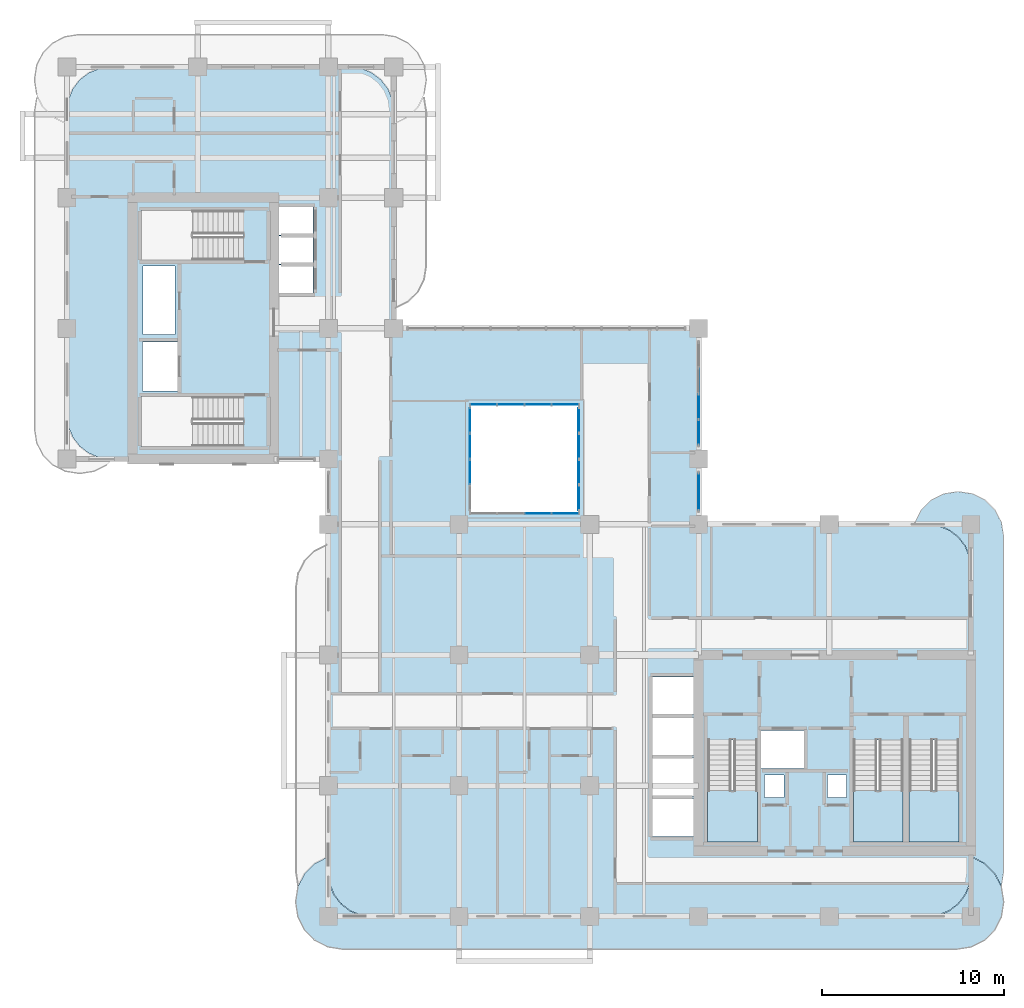
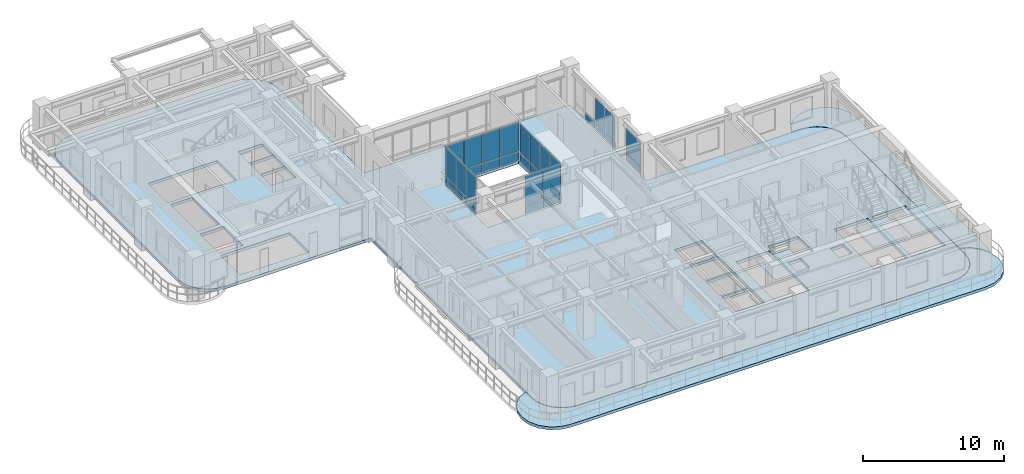
# One storey, part 9 of 20: 33 plates, 6 slabs, 9 elements without a shape of their own.
"""IFC4 building model written with IfcOpenShell, lengths in metres."""

from ifc_helpers import new_model, si_unit, derived_unit, direction, frame, origin, origin_2d, place, context, subcontext, project, spatial, polyline, rectangle, outline, extrude, source, transform, mapped, material, layer, layer_set, type_object, element, aggregate, save


model = new_model("IFC4")

# Units and contexts
model_context = context("Model", 3, precision=1e-05, world=origin(), true_north=direction((0.0, 1.0)))
body_context = subcontext(model_context, "Body", "Model", "MODEL_VIEW")
ifc_project = project(units=[si_unit("LENGTHUNIT", "METRE"), si_unit("AREAUNIT", "SQUARE_METRE"), si_unit("VOLUMEUNIT", "CUBIC_METRE"), si_unit("PLANEANGLEUNIT", "RADIAN"), si_unit("MASSUNIT", "GRAM", prefix="KILO"), si_unit("THERMODYNAMICTEMPERATUREUNIT", "KELVIN"), si_unit("POWERUNIT", "WATT"), derived_unit("THERMALTRANSMITTANCEUNIT", [(si_unit("POWERUNIT", "WATT"), 1), (si_unit("AREAUNIT", "SQUARE_METRE"), -1), (si_unit("THERMODYNAMICTEMPERATUREUNIT", "KELVIN"), -1)])], contexts=[model_context])

# Site, building, storey
site_placement = place(None, origin())
site = spatial("IfcSite", under=ifc_project, at=site_placement, CompositionType="ELEMENT")
building_placement = place(site_placement, origin())
building = spatial("IfcBuilding", under=site, at=building_placement, Name="Zahravan Archway Hotel and Residences", CompositionType="ELEMENT")
storey_placement = place(building_placement, frame((0.0, 0.0, 126.60009765625)))
storey = spatial("IfcBuildingStorey", under=building, at=storey_placement, Name="L31", CompositionType="ELEMENT", Elevation=126.60009765625)

# Slabs
ifc_material_1 = material(Name="Concrete C45/55", Category="concrete")
ifc_layer_1 = layer(ifc_material_1, 0.25, Name="Concrete C45/55", Category="concrete")
ifc_layer_set_1 = layer_set([ifc_layer_1], Name="Concrete C45/55")
slab_type_1 = type_object("IfcSlabType", Name="SLB-BALC-250", PredefinedType="FLOOR", material=ifc_layer_set_1)
slab_1_placement = place(storey_placement, frame((0.0, 0.0, -0.25)))
element("IfcSlab", 1, at=slab_1_placement, inside=storey, type_object=slab_type_1, Name="L31 Wing A South Rounded Balcony Band", PredefinedType="FLOOR", context=body_context, shape_type="SweptSolid", body=[
    extrude(outline(polyline([(49.837890625, 3.275146484375), (50.548828125, 2.9130859375), (51.113037109375, 2.348876953125), (51.47509765625, 1.637939453125), (51.60009765625, 0.85009765625), (51.60009765625, 0.75), (51.47509765625, -0.0380859375), (51.113037109375, -0.748779296875), (50.548828125, -1.31298828125), (49.837890625, -1.67529296875), (49.050048828125, -1.800048828125), (15.14990234375, -1.800048828125), (14.362060546875, -1.67529296875), (13.651123046875, -1.31298828125), (13.0869140625, -0.748779296875), (12.724853515625, -0.0380859375), (12.60009765625, 0.75), (12.60009765625, 0.85009765625), (12.724853515625, 1.637939453125), (13.0869140625, 2.348876953125), (13.651123046875, 2.9130859375), (14.362060546875, 3.275146484375), (14.3798828125, 3.278076171875), (14.3798828125, 2.39990234375), (14.380126953125, 2.3974609375), (14.4619140625, 1.776123046875), (14.46240234375, 1.7744140625), (14.462646484375, 1.772705078125), (14.46337890625, 1.77099609375), (14.702880859375, 1.1923828125), (14.703857421875, 1.19091796875), (14.70458984375, 1.189208984375), (14.70556640625, 1.187744140625), (15.0869140625, 0.690673828125), (15.088134765625, 0.689453125), (15.08935546875, 0.688232421875), (15.0908203125, 0.68701171875), (15.587890625, 0.3056640625), (15.58935546875, 0.3046875), (15.5908203125, 0.3037109375), (15.59228515625, 0.302978515625), (16.171142578125, 0.063232421875), (16.1728515625, 0.062744140625), (16.174560546875, 0.062255859375), (16.17626953125, 0.06201171875), (16.79736328125, -0.019775390625), (16.800048828125, -0.02001953125), (47.39990234375, -0.02001953125), (47.402587890625, -0.019775390625), (48.023681640625, 0.06201171875), (48.025390625, 0.062255859375), (48.027099609375, 0.062744140625), (48.02880859375, 0.063232421875), (48.607666015625, 0.302978515625), (48.609130859375, 0.3037109375), (48.610595703125, 0.3046875), (48.6123046875, 0.3056640625), (49.109375, 0.68701171875), (49.110595703125, 0.688232421875), (49.11181640625, 0.689453125), (49.113037109375, 0.690673828125), (49.494384765625, 1.187744140625), (49.495361328125, 1.189208984375), (49.49609375, 1.19091796875), (49.4970703125, 1.1923828125), (49.73681640625, 1.77099609375), (49.7373046875, 1.772705078125), (49.73779296875, 1.7744140625), (49.738037109375, 1.776123046875), (49.81982421875, 2.3974609375), (49.820068359375, 2.39990234375), (49.820068359375, 3.278076171875), (49.837890625, 3.275146484375)])), origin(), (0.0, 0.0, 1.0), 0.25),
])
slab_2_placement = place(storey_placement, frame((0.0, 0.0, -0.25)))
element("IfcSlab", 2, at=slab_2_placement, inside=storey, type_object=slab_type_1, Name="L31 Wing A East Rounded Balcony Band", PredefinedType="FLOOR", context=body_context, shape_type="SweptSolid", body=[
    extrude(outline(polyline([(46.719970703125, 21.70703125), (47.06787109375, 22.39013671875), (47.60986328125, 22.93212890625), (48.29296875, 23.280029296875), (49.050048828125, 23.39990234375), (49.14990234375, 23.39990234375), (49.906982421875, 23.280029296875), (50.590087890625, 22.93212890625), (51.132080078125, 22.39013671875), (51.47998046875, 21.70703125), (51.60009765625, 20.949951171875), (51.60009765625, 2.449951171875), (51.47998046875, 1.69287109375), (51.474853515625, 1.6826171875), (51.130859375, 2.35791015625), (51.1298828125, 2.35986328125), (51.12841796875, 2.361572265625), (51.127197265625, 2.363037109375), (50.56298828125, 2.927001953125), (50.5615234375, 2.928466796875), (50.559814453125, 2.9296875), (50.55810546875, 2.930908203125), (49.84716796875, 3.29296875), (49.84521484375, 3.2939453125), (49.84326171875, 3.29443359375), (49.841064453125, 3.294921875), (49.822998046875, 3.2978515625), (49.8212890625, 3.298095703125), (49.820068359375, 3.298095703125), (49.820068359375, 19.199951171875), (49.81982421875, 19.20263671875), (49.738037109375, 19.82373046875), (49.73779296875, 19.825439453125), (49.7373046875, 19.8271484375), (49.73681640625, 19.828857421875), (49.4970703125, 20.40771484375), (49.49609375, 20.4091796875), (49.495361328125, 20.41064453125), (49.494384765625, 20.412109375), (49.113037109375, 20.9091796875), (49.11181640625, 20.91064453125), (49.110595703125, 20.911865234375), (49.109375, 20.9130859375), (48.6123046875, 21.29443359375), (48.610595703125, 21.29541015625), (48.609130859375, 21.296142578125), (48.607666015625, 21.297119140625), (48.02880859375, 21.53662109375), (48.027099609375, 21.537353515625), (48.025390625, 21.53759765625), (48.023681640625, 21.5380859375), (47.402587890625, 21.619873046875), (47.39990234375, 21.6201171875), (46.7060546875, 21.6201171875), (46.719970703125, 21.70703125)])), origin(), (0.0, 0.0, 1.0), 0.25),
])
ifc_layer_2 = layer(ifc_material_1, 0.25, Name="Concrete C45/55", Category="concrete")
ifc_layer_set_2 = layer_set([ifc_layer_2], Name="Concrete C45/55")
slab_type_2 = type_object("IfcSlabType", Name="SLB-FLR-250", PredefinedType="FLOOR", material=ifc_layer_set_2)
slab_3_placement = place(storey_placement, frame((0.0, 0.0, -0.25)))
element("IfcSlab", 3, at=slab_3_placement, inside=storey, type_object=slab_type_2, Name="L31 Floor Slab LB", PredefinedType="FLOOR", context=body_context, shape_type="SweptSolid", body=[
    extrude(outline(polyline([(34.800048828125, 21.60009765625), (34.800048828125, 32.39990234375), (18.0, 32.39990234375), (18.0, 44.39990234375), (17.918212890625, 45.021240234375), (17.678466796875, 45.60009765625), (17.297119140625, 46.09716796875), (16.800048828125, 46.478515625), (16.22119140625, 46.71826171875), (15.60009765625, 46.800048828125), (2.39990234375, 46.800048828125), (1.77880859375, 46.71826171875), (1.199951171875, 46.478515625), (0.702880859375, 46.09716796875), (0.321533203125, 45.60009765625), (0.081787109375, 45.021240234375), (0.0, 44.39990234375), (0.0, 27.60009765625), (0.081787109375, 26.978759765625), (0.321533203125, 26.39990234375), (0.702880859375, 25.90283203125), (1.199951171875, 25.521484375), (1.77880859375, 25.28173828125), (2.39990234375, 25.199951171875), (14.39990234375, 25.199951171875), (14.39990234375, 19.199951171875), (14.39990234375, 19.10009765625), (14.39990234375, 2.39990234375), (14.481689453125, 1.77880859375), (14.721435546875, 1.199951171875), (15.102783203125, 0.702880859375), (15.60009765625, 0.321533203125), (16.1787109375, 0.081787109375), (16.800048828125, 0.0), (47.39990234375, 0.0), (48.021240234375, 0.081787109375), (48.60009765625, 0.321533203125), (49.09716796875, 0.702880859375), (49.478515625, 1.199951171875), (49.71826171875, 1.77880859375), (49.800048828125, 2.39990234375), (49.800048828125, 19.199951171875), (49.71826171875, 19.8212890625), (49.478515625, 20.39990234375), (49.09716796875, 20.897216796875), (48.60009765625, 21.278564453125), (48.021240234375, 21.518310546875), (47.39990234375, 21.60009765625), (34.800048828125, 21.60009765625)]), holes=[polyline([(35.300048828125, 9.72998046875), (35.300048828125, 4.10009765625), (38.0400390625, 4.10009765625), (38.0400390625, 9.72998046875), (35.300048828125, 9.72998046875)]), polyline([(43.320068359375, 9.72998046875), (43.320068359375, 4.10009765625), (46.06005859375, 4.10009765625), (46.06005859375, 9.72998046875), (43.320068359375, 9.72998046875)]), polyline([(46.39990234375, 9.72998046875), (46.39990234375, 4.10009765625), (49.139892578125, 4.10009765625), (49.139892578125, 9.72998046875), (46.39990234375, 9.72998046875)]), polyline([(9.72998046875, 28.639892578125), (4.10009765625, 28.639892578125), (4.10009765625, 25.89990234375), (9.72998046875, 25.89990234375), (9.72998046875, 28.639892578125)]), polyline([(9.72998046875, 38.89990234375), (4.10009765625, 38.89990234375), (4.10009765625, 36.159912109375), (9.72998046875, 36.159912109375), (9.72998046875, 38.89990234375)]), polyline([(38.179931640625, 8.14990234375), (40.699951171875, 8.14990234375), (40.699951171875, 10.25), (38.179931640625, 10.25), (38.179931640625, 8.14990234375)]), polyline([(4.14990234375, 28.949951171875), (6.10009765625, 28.949951171875), (6.10009765625, 31.64990234375), (4.14990234375, 31.64990234375), (4.14990234375, 28.949951171875)]), polyline([(11.550048828125, 34.35009765625), (13.550048828125, 34.35009765625), (13.550048828125, 35.889892578125), (11.550048828125, 35.889892578125), (11.550048828125, 34.35009765625)]), polyline([(11.550048828125, 35.949951171875), (13.550048828125, 35.949951171875), (13.550048828125, 37.489990234375), (11.550048828125, 37.489990234375), (11.550048828125, 35.949951171875)]), polyline([(11.550048828125, 37.550048828125), (13.550048828125, 37.550048828125), (13.550048828125, 39.090087890625), (11.550048828125, 39.090087890625), (11.550048828125, 37.550048828125)]), polyline([(32.25, 4.39990234375), (34.550048828125, 4.39990234375), (34.550048828125, 6.47998046875), (32.25, 6.47998046875), (32.25, 4.39990234375)]), polyline([(32.25, 6.639892578125), (34.550048828125, 6.639892578125), (34.550048828125, 8.719970703125), (32.25, 8.719970703125), (32.25, 6.639892578125)]), polyline([(32.25, 8.8798828125), (34.550048828125, 8.8798828125), (34.550048828125, 10.9599609375), (32.25, 10.9599609375), (32.25, 8.8798828125)]), polyline([(32.25, 11.1201171875), (34.550048828125, 11.1201171875), (34.550048828125, 13.199951171875), (32.25, 13.199951171875), (32.25, 11.1201171875)]), polyline([(22.199951171875, 22.199951171875), (28.199951171875, 22.199951171875), (28.199951171875, 28.199951171875), (22.199951171875, 28.199951171875), (22.199951171875, 22.199951171875)]), polyline([(38.419921875, 6.56005859375), (39.5, 6.56005859375), (39.5, 7.780029296875), (38.419921875, 7.780029296875), (38.419921875, 6.56005859375)]), polyline([(41.89990234375, 6.56005859375), (42.9599609375, 6.56005859375), (42.9599609375, 7.780029296875), (41.89990234375, 7.780029296875), (41.89990234375, 6.56005859375)]), polyline([(4.179931640625, 32.050048828125), (5.93994140625, 32.050048828125), (5.93994140625, 35.840087890625), (4.179931640625, 35.840087890625), (4.179931640625, 32.050048828125)])]), origin(), (0.0, 0.0, 1.0), 0.25),
])

# Stair, slab
ifc_material_2 = material(Name="Concrete C50/60", Category="concrete")
stair_type = type_object("IfcStairType", Name="STR-CORE-1300", PredefinedType="HALF_TURN_STAIR", material=ifc_material_2)
stair_1_placement = place(storey_placement, origin())
stair_1 = element("IfcStair", 4, at=stair_1_placement, inside=storey, type_object=stair_type, Name="L31 Core A Exit Stair 1", PredefinedType="HALF_TURN_STAIR")
ifc_layer_3 = layer(ifc_material_2, 0.199951171875, Name="Concrete C50/60", Category="concrete")
ifc_layer_set_3 = layer_set([ifc_layer_3], Name="Concrete C50/60")
slab_type_3 = type_object("IfcSlabType", Name="SLB-LND-200", PredefinedType="LANDING", material=ifc_layer_set_3)
slab_4_placement = place(storey_placement, frame((0.0, 0.0, 1.64990234375)))
slab_4 = element("IfcSlab", 5, at=slab_4_placement, type_object=slab_type_3, Name="ST-A1 landing 1", PredefinedType="LANDING", context=body_context, shape_type="SweptSolid", body=[
    extrude(outline(polyline([(35.300048828125, 6.929931640625), (35.300048828125, 4.10009765625), (38.0400390625, 4.10009765625), (38.0400390625, 6.929931640625), (35.300048828125, 6.929931640625)])), origin(), (0.0, 0.0, 1.0), 0.199951171875),
])
aggregate(stair_1, [slab_4])

stair_2_placement = place(storey_placement, origin())
stair_2 = element("IfcStair", 6, at=stair_2_placement, inside=storey, type_object=stair_type, Name="L31 Core A Exit Stair 2", PredefinedType="HALF_TURN_STAIR")
slab_5_placement = place(storey_placement, frame((0.0, 0.0, 1.64990234375)))
slab_5 = element("IfcSlab", 7, at=slab_5_placement, type_object=slab_type_3, Name="ST-A2 landing 1", PredefinedType="LANDING", context=body_context, shape_type="SweptSolid", body=[
    extrude(outline(polyline([(43.320068359375, 6.929931640625), (43.320068359375, 4.10009765625), (46.06005859375, 4.10009765625), (46.06005859375, 6.929931640625), (43.320068359375, 6.929931640625)])), origin(), (0.0, 0.0, 1.0), 0.199951171875),
])
aggregate(stair_2, [slab_5])

stair_3_placement = place(storey_placement, origin())
stair_3 = element("IfcStair", 8, at=stair_3_placement, inside=storey, type_object=stair_type, Name="L31 Core A Exit Stair 3", PredefinedType="HALF_TURN_STAIR")
slab_6_placement = place(storey_placement, frame((0.0, 0.0, 1.64990234375)))
slab_6 = element("IfcSlab", 9, at=slab_6_placement, type_object=slab_type_3, Name="ST-A3 landing 1", PredefinedType="LANDING", context=body_context, shape_type="SweptSolid", body=[
    extrude(outline(polyline([(46.39990234375, 6.929931640625), (46.39990234375, 4.10009765625), (49.139892578125, 4.10009765625), (49.139892578125, 6.929931640625), (46.39990234375, 6.929931640625)])), origin(), (0.0, 0.0, 1.0), 0.199951171875),
])
aggregate(stair_3, [slab_6])

# Curtain wall, plates
ifc_material_3 = material(Name="Bronze-Anodized Unitised Aluminium & Low-E Glass", Category="aluminium")
ifc_layer_4 = layer(ifc_material_3, 0.179931640625, Name="Bronze-Anodized Unitised Aluminium & Low-E Glass", Category="aluminium")
ifc_layer_set_4 = layer_set([ifc_layer_4], Name="Bronze-Anodized Unitised Aluminium & Low-E Glass")
curtain_wall_type = type_object("IfcCurtainWallType", Name="CW-ATR-GLAZ", PredefinedType="NOTDEFINED", material=ifc_layer_set_4)
curtain_wall_1_placement = place(storey_placement, origin())
curtain_wall_1 = element("IfcCurtainWall", 10, at=curtain_wall_1_placement, inside=storey, type_object=curtain_wall_type, Name="L31 Curtain Wall CW-ATR-L31-S-1", PredefinedType="NOTDEFINED")
ifc_material_4 = material(Name="Insulated Terracotta Spandrel Panel", Category="masonry")
ifc_layer_5 = layer(ifc_material_4, 0.0400390625, Name="Insulated Terracotta Spandrel Panel", Category="masonry")
ifc_layer_set_5 = layer_set([ifc_layer_5], Name="Insulated Terracotta Spandrel Panel")
plate_type_1 = type_object("IfcPlateType", Name="CWP-SPN-40", PredefinedType="SHEET", material=ifc_layer_set_5)
shared_shape_1 = source(origin(), body_context, "Body", "SweptSolid", [
    extrude(rectangle(XDim=1.419921875, YDim=0.0400390625, at=origin_2d()), origin(), (0.0, 0.0, 1.0), 0.68798828125),
])
plate_1_placement = place(storey_placement, frame((25.949951171875, 22.199951171875, 0.099853515625), z_axis=(0.0, 0.0, 1.0), x_axis=(1.0, 0.0, 0.0)))
plate_1 = element("IfcPlate", 11, at=plate_1_placement, type_object=plate_type_1, Name="CW-ATR-L31-S-1 Spandrel Panel 2", PredefinedType="SHEET", context=body_context, shape_type="MappedRepresentation", body=[
    mapped(shared_shape_1, transform((0.0, 0.0, 0.0), scale=1.0)),
])
plate_2_placement = place(storey_placement, frame((27.449951171875, 22.199951171875, 0.099853515625), z_axis=(0.0, 0.0, 1.0), x_axis=(1.0, 0.0, 0.0)))
plate_2 = element("IfcPlate", 12, at=plate_2_placement, type_object=plate_type_1, Name="CW-ATR-L31-S-1 Spandrel Panel 3", PredefinedType="SHEET", context=body_context, shape_type="MappedRepresentation", body=[
    mapped(shared_shape_1, transform((0.0, 0.0, 0.0), scale=1.0)),
])

curtain_wall_2_placement = place(storey_placement, origin())
curtain_wall_2 = element("IfcCurtainWall", 13, at=curtain_wall_2_placement, inside=storey, type_object=curtain_wall_type, Name="L31 Curtain Wall CW-ATR-L31-N-1", PredefinedType="NOTDEFINED")
plate_3_placement = place(storey_placement, frame((22.949951171875, 28.199951171875, 0.099853515625), z_axis=(0.0, 0.0, 1.0), x_axis=(1.0, 0.0, 0.0)))
plate_3 = element("IfcPlate", 14, at=plate_3_placement, type_object=plate_type_1, Name="CW-ATR-L31-N-1 Spandrel Panel 0", PredefinedType="SHEET", context=body_context, shape_type="MappedRepresentation", body=[
    mapped(shared_shape_1, transform((0.0, 0.0, 0.0), scale=1.0)),
])
plate_4_placement = place(storey_placement, frame((24.449951171875, 28.199951171875, 0.099853515625), z_axis=(0.0, 0.0, 1.0), x_axis=(1.0, 0.0, 0.0)))
plate_4 = element("IfcPlate", 15, at=plate_4_placement, type_object=plate_type_1, Name="CW-ATR-L31-N-1 Spandrel Panel 1", PredefinedType="SHEET", context=body_context, shape_type="MappedRepresentation", body=[
    mapped(shared_shape_1, transform((0.0, 0.0, 0.0), scale=1.0)),
])
plate_5_placement = place(storey_placement, frame((25.949951171875, 28.199951171875, 0.099853515625), z_axis=(0.0, 0.0, 1.0), x_axis=(1.0, 0.0, 0.0)))
plate_5 = element("IfcPlate", 16, at=plate_5_placement, type_object=plate_type_1, Name="CW-ATR-L31-N-1 Spandrel Panel 2", PredefinedType="SHEET", context=body_context, shape_type="MappedRepresentation", body=[
    mapped(shared_shape_1, transform((0.0, 0.0, 0.0), scale=1.0)),
])
plate_6_placement = place(storey_placement, frame((27.449951171875, 28.199951171875, 0.099853515625), z_axis=(0.0, 0.0, 1.0), x_axis=(1.0, 0.0, 0.0)))
plate_6 = element("IfcPlate", 17, at=plate_6_placement, type_object=plate_type_1, Name="CW-ATR-L31-N-1 Spandrel Panel 3", PredefinedType="SHEET", context=body_context, shape_type="MappedRepresentation", body=[
    mapped(shared_shape_1, transform((0.0, 0.0, 0.0), scale=1.0)),
])

# Plate
ifc_material_5 = material(Name="Double-Silver Low-E Insulated Vision Glass", Category="glass")
ifc_layer_6 = layer(ifc_material_5, 0.028076171875, Name="Double-Silver Low-E Insulated Vision Glass", Category="glass")
ifc_layer_set_6 = layer_set([ifc_layer_6], Name="Double-Silver Low-E Insulated Vision Glass")
plate_type_2 = type_object("IfcPlateType", Name="CWP-GLZ-28", PredefinedType="CURTAIN_PANEL", material=ifc_layer_set_6)
shared_shape_2 = source(origin(), body_context, "Body", "SweptSolid", [
    extrude(rectangle(XDim=1.419921875, YDim=0.028076171875, at=origin_2d()), origin(), (0.0, 0.0, 1.0), 2.48193359375),
])
plate_7_placement = place(storey_placement, frame((25.949951171875, 22.199951171875, 0.867919921875), z_axis=(0.0, 0.0, 1.0), x_axis=(1.0, 0.0, 0.0)))
plate_7 = element("IfcPlate", 18, at=plate_7_placement, type_object=plate_type_2, Name="CW-ATR-L31-S-1 Low-E Vision Panel 2", PredefinedType="CURTAIN_PANEL", context=body_context, shape_type="MappedRepresentation", body=[
    mapped(shared_shape_2, transform((0.0, 0.0, 0.0), scale=1.0)),
])

plate_8_placement = place(storey_placement, frame((27.449951171875, 22.199951171875, 0.867919921875), z_axis=(0.0, 0.0, 1.0), x_axis=(1.0, 0.0, 0.0)))
plate_8 = element("IfcPlate", 19, at=plate_8_placement, type_object=plate_type_2, Name="CW-ATR-L31-S-1 Low-E Vision Panel 3", PredefinedType="CURTAIN_PANEL", context=body_context, shape_type="MappedRepresentation", body=[
    mapped(shared_shape_2, transform((0.0, 0.0, 0.0), scale=1.0)),
])

aggregate(curtain_wall_1, [plate_1, plate_7, plate_2, plate_8])

plate_9_placement = place(storey_placement, frame((22.949951171875, 28.199951171875, 0.867919921875), z_axis=(0.0, 0.0, 1.0), x_axis=(1.0, 0.0, 0.0)))
plate_9 = element("IfcPlate", 20, at=plate_9_placement, type_object=plate_type_2, Name="CW-ATR-L31-N-1 Low-E Vision Panel 0", PredefinedType="CURTAIN_PANEL", context=body_context, shape_type="MappedRepresentation", body=[
    mapped(shared_shape_2, transform((0.0, 0.0, 0.0), scale=1.0)),
])

plate_10_placement = place(storey_placement, frame((24.449951171875, 28.199951171875, 0.867919921875), z_axis=(0.0, 0.0, 1.0), x_axis=(1.0, 0.0, 0.0)))
plate_10 = element("IfcPlate", 21, at=plate_10_placement, type_object=plate_type_2, Name="CW-ATR-L31-N-1 Low-E Vision Panel 1", PredefinedType="CURTAIN_PANEL", context=body_context, shape_type="MappedRepresentation", body=[
    mapped(shared_shape_2, transform((0.0, 0.0, 0.0), scale=1.0)),
])

plate_11_placement = place(storey_placement, frame((25.949951171875, 28.199951171875, 0.867919921875), z_axis=(0.0, 0.0, 1.0), x_axis=(1.0, 0.0, 0.0)))
plate_11 = element("IfcPlate", 22, at=plate_11_placement, type_object=plate_type_2, Name="CW-ATR-L31-N-1 Low-E Vision Panel 2", PredefinedType="CURTAIN_PANEL", context=body_context, shape_type="MappedRepresentation", body=[
    mapped(shared_shape_2, transform((0.0, 0.0, 0.0), scale=1.0)),
])

plate_12_placement = place(storey_placement, frame((27.449951171875, 28.199951171875, 0.867919921875), z_axis=(0.0, 0.0, 1.0), x_axis=(1.0, 0.0, 0.0)))
plate_12 = element("IfcPlate", 23, at=plate_12_placement, type_object=plate_type_2, Name="CW-ATR-L31-N-1 Low-E Vision Panel 3", PredefinedType="CURTAIN_PANEL", context=body_context, shape_type="MappedRepresentation", body=[
    mapped(shared_shape_2, transform((0.0, 0.0, 0.0), scale=1.0)),
])

aggregate(curtain_wall_2, [plate_3, plate_9, plate_4, plate_10, plate_5, plate_11, plate_6, plate_12])

# Curtain wall, plates
curtain_wall_3_placement = place(storey_placement, origin())
curtain_wall_3 = element("IfcCurtainWall", 24, at=curtain_wall_3_placement, inside=storey, type_object=curtain_wall_type, Name="L31 Curtain Wall CW-ATR-L31-W-1", PredefinedType="NOTDEFINED")
shared_shape_3 = source(origin(), body_context, "Body", "SweptSolid", [
    extrude(rectangle(XDim=1.344970703125, YDim=0.0400390625, at=origin_2d()), origin(), (0.0, 0.0, 1.0), 0.68798828125),
])
plate_13_placement = place(storey_placement, frame((22.199951171875, 24.487548828125, 0.099853515625), z_axis=(0.0, 0.0, 1.0), x_axis=(0.0, 1.0, 0.0)))
plate_13 = element("IfcPlate", 25, at=plate_13_placement, type_object=plate_type_1, Name="CW-ATR-L31-W-1 Spandrel Panel 1", PredefinedType="SHEET", context=body_context, shape_type="MappedRepresentation", body=[
    mapped(shared_shape_3, transform((0.0, 0.0, 0.0), scale=1.0)),
])
plate_14_placement = place(storey_placement, frame((22.199951171875, 25.91259765625, 0.099853515625), z_axis=(0.0, 0.0, 1.0), x_axis=(0.0, 1.0, 0.0)))
plate_14 = element("IfcPlate", 26, at=plate_14_placement, type_object=plate_type_1, Name="CW-ATR-L31-W-1 Spandrel Panel 2", PredefinedType="SHEET", context=body_context, shape_type="MappedRepresentation", body=[
    mapped(shared_shape_3, transform((0.0, 0.0, 0.0), scale=1.0)),
])
plate_15_placement = place(storey_placement, frame((22.199951171875, 27.33740234375, 0.099853515625), z_axis=(0.0, 0.0, 1.0), x_axis=(0.0, 1.0, 0.0)))
plate_15 = element("IfcPlate", 27, at=plate_15_placement, type_object=plate_type_1, Name="CW-ATR-L31-W-1 Spandrel Panel 3", PredefinedType="SHEET", context=body_context, shape_type="MappedRepresentation", body=[
    mapped(shared_shape_3, transform((0.0, 0.0, 0.0), scale=1.0)),
])

curtain_wall_4_placement = place(storey_placement, origin())
curtain_wall_4 = element("IfcCurtainWall", 28, at=curtain_wall_4_placement, inside=storey, type_object=curtain_wall_type, Name="L31 Curtain Wall CW-ATR-L31-E-1", PredefinedType="NOTDEFINED")
plate_16_placement = place(storey_placement, frame((28.199951171875, 23.0625, 0.099853515625), z_axis=(0.0, 0.0, 1.0), x_axis=(0.0, 1.0, 0.0)))
plate_16 = element("IfcPlate", 29, at=plate_16_placement, type_object=plate_type_1, Name="CW-ATR-L31-E-1 Spandrel Panel 0", PredefinedType="SHEET", context=body_context, shape_type="MappedRepresentation", body=[
    mapped(shared_shape_3, transform((0.0, 0.0, 0.0), scale=1.0)),
])
plate_17_placement = place(storey_placement, frame((28.199951171875, 24.487548828125, 0.099853515625), z_axis=(0.0, 0.0, 1.0), x_axis=(0.0, 1.0, 0.0)))
plate_17 = element("IfcPlate", 30, at=plate_17_placement, type_object=plate_type_1, Name="CW-ATR-L31-E-1 Spandrel Panel 1", PredefinedType="SHEET", context=body_context, shape_type="MappedRepresentation", body=[
    mapped(shared_shape_3, transform((0.0, 0.0, 0.0), scale=1.0)),
])
plate_18_placement = place(storey_placement, frame((28.199951171875, 25.91259765625, 0.099853515625), z_axis=(0.0, 0.0, 1.0), x_axis=(0.0, 1.0, 0.0)))
plate_18 = element("IfcPlate", 31, at=plate_18_placement, type_object=plate_type_1, Name="CW-ATR-L31-E-1 Spandrel Panel 2", PredefinedType="SHEET", context=body_context, shape_type="MappedRepresentation", body=[
    mapped(shared_shape_3, transform((0.0, 0.0, 0.0), scale=1.0)),
])
plate_19_placement = place(storey_placement, frame((28.199951171875, 27.33740234375, 0.099853515625), z_axis=(0.0, 0.0, 1.0), x_axis=(0.0, 1.0, 0.0)))
plate_19 = element("IfcPlate", 32, at=plate_19_placement, type_object=plate_type_1, Name="CW-ATR-L31-E-1 Spandrel Panel 3", PredefinedType="SHEET", context=body_context, shape_type="MappedRepresentation", body=[
    mapped(shared_shape_3, transform((0.0, 0.0, 0.0), scale=1.0)),
])

# Plate
shared_shape_4 = source(origin(), body_context, "Body", "SweptSolid", [
    extrude(rectangle(XDim=1.344970703125, YDim=0.028076171875, at=origin_2d()), origin(), (0.0, 0.0, 1.0), 2.48193359375),
])
plate_20_placement = place(storey_placement, frame((22.199951171875, 24.487548828125, 0.867919921875), z_axis=(0.0, 0.0, 1.0), x_axis=(0.0, 1.0, 0.0)))
plate_20 = element("IfcPlate", 33, at=plate_20_placement, type_object=plate_type_2, Name="CW-ATR-L31-W-1 Low-E Vision Panel 1", PredefinedType="CURTAIN_PANEL", context=body_context, shape_type="MappedRepresentation", body=[
    mapped(shared_shape_4, transform((0.0, 0.0, 0.0), scale=1.0)),
])

plate_21_placement = place(storey_placement, frame((22.199951171875, 25.91259765625, 0.867919921875), z_axis=(0.0, 0.0, 1.0), x_axis=(0.0, 1.0, 0.0)))
plate_21 = element("IfcPlate", 34, at=plate_21_placement, type_object=plate_type_2, Name="CW-ATR-L31-W-1 Low-E Vision Panel 2", PredefinedType="CURTAIN_PANEL", context=body_context, shape_type="MappedRepresentation", body=[
    mapped(shared_shape_4, transform((0.0, 0.0, 0.0), scale=1.0)),
])

plate_22_placement = place(storey_placement, frame((22.199951171875, 27.33740234375, 0.867919921875), z_axis=(0.0, 0.0, 1.0), x_axis=(0.0, 1.0, 0.0)))
plate_22 = element("IfcPlate", 35, at=plate_22_placement, type_object=plate_type_2, Name="CW-ATR-L31-W-1 Low-E Vision Panel 3", PredefinedType="CURTAIN_PANEL", context=body_context, shape_type="MappedRepresentation", body=[
    mapped(shared_shape_4, transform((0.0, 0.0, 0.0), scale=1.0)),
])

aggregate(curtain_wall_3, [plate_13, plate_20, plate_14, plate_21, plate_15, plate_22])

plate_23_placement = place(storey_placement, frame((28.199951171875, 23.0625, 0.867919921875), z_axis=(0.0, 0.0, 1.0), x_axis=(0.0, 1.0, 0.0)))
plate_23 = element("IfcPlate", 36, at=plate_23_placement, type_object=plate_type_2, Name="CW-ATR-L31-E-1 Low-E Vision Panel 0", PredefinedType="CURTAIN_PANEL", context=body_context, shape_type="MappedRepresentation", body=[
    mapped(shared_shape_4, transform((0.0, 0.0, 0.0), scale=1.0)),
])

plate_24_placement = place(storey_placement, frame((28.199951171875, 24.487548828125, 0.867919921875), z_axis=(0.0, 0.0, 1.0), x_axis=(0.0, 1.0, 0.0)))
plate_24 = element("IfcPlate", 37, at=plate_24_placement, type_object=plate_type_2, Name="CW-ATR-L31-E-1 Low-E Vision Panel 1", PredefinedType="CURTAIN_PANEL", context=body_context, shape_type="MappedRepresentation", body=[
    mapped(shared_shape_4, transform((0.0, 0.0, 0.0), scale=1.0)),
])

plate_25_placement = place(storey_placement, frame((28.199951171875, 25.91259765625, 0.867919921875), z_axis=(0.0, 0.0, 1.0), x_axis=(0.0, 1.0, 0.0)))
plate_25 = element("IfcPlate", 38, at=plate_25_placement, type_object=plate_type_2, Name="CW-ATR-L31-E-1 Low-E Vision Panel 2", PredefinedType="CURTAIN_PANEL", context=body_context, shape_type="MappedRepresentation", body=[
    mapped(shared_shape_4, transform((0.0, 0.0, 0.0), scale=1.0)),
])

plate_26_placement = place(storey_placement, frame((28.199951171875, 27.33740234375, 0.867919921875), z_axis=(0.0, 0.0, 1.0), x_axis=(0.0, 1.0, 0.0)))
plate_26 = element("IfcPlate", 39, at=plate_26_placement, type_object=plate_type_2, Name="CW-ATR-L31-E-1 Low-E Vision Panel 3", PredefinedType="CURTAIN_PANEL", context=body_context, shape_type="MappedRepresentation", body=[
    mapped(shared_shape_4, transform((0.0, 0.0, 0.0), scale=1.0)),
])

aggregate(curtain_wall_4, [plate_16, plate_23, plate_17, plate_24, plate_18, plate_25, plate_19, plate_26])

# Curtain wall, plates
curtain_wall_5_placement = place(storey_placement, origin())
curtain_wall_5 = element("IfcCurtainWall", 40, at=curtain_wall_5_placement, inside=storey, type_object=curtain_wall_type, Name="L31 Curtain Wall CW-L31-HNG-E-1", PredefinedType="NOTDEFINED")
shared_shape_5 = source(origin(), body_context, "Body", "SweptSolid", [
    extrude(rectangle(XDim=2.0, YDim=0.0400390625, at=origin_2d()), origin(), (0.0, 0.0, 1.0), 0.564453125),
])
plate_27_placement = place(storey_placement, frame((34.800048828125, 23.39990234375, 0.099853515625), z_axis=(0.0, 0.0, 1.0), x_axis=(0.0, 1.0, 0.0)))
plate_27 = element("IfcPlate", 41, at=plate_27_placement, type_object=plate_type_1, Name="CW-L31-HNG-E-1 Spandrel Panel 0", PredefinedType="SHEET", context=body_context, shape_type="MappedRepresentation", body=[
    mapped(shared_shape_5, transform((0.0, 0.0, 0.0), scale=1.0)),
])
shared_shape_6 = source(origin(), body_context, "Body", "SweptSolid", [
    extrude(rectangle(XDim=2.0, YDim=0.028076171875, at=origin_2d()), origin(), (0.0, 0.0, 1.0), 2.090576171875),
])
plate_28_placement = place(storey_placement, frame((34.800048828125, 23.39990234375, 0.744140625), z_axis=(0.0, 0.0, 1.0), x_axis=(0.0, 1.0, 0.0)))
plate_28 = element("IfcPlate", 42, at=plate_28_placement, type_object=plate_type_2, Name="CW-L31-HNG-E-1 Low-E Vision Panel 0", PredefinedType="CURTAIN_PANEL", context=body_context, shape_type="MappedRepresentation", body=[
    mapped(shared_shape_6, transform((0.0, 0.0, 0.0), scale=1.0)),
])
aggregate(curtain_wall_5, [plate_27, plate_28])

curtain_wall_6_placement = place(storey_placement, origin())
curtain_wall_6 = element("IfcCurtainWall", 43, at=curtain_wall_6_placement, inside=storey, type_object=curtain_wall_type, Name="L31 Curtain Wall CW-L31-HNG-E-2", PredefinedType="NOTDEFINED")
shared_shape_7 = source(origin(), body_context, "Body", "SweptSolid", [
    extrude(rectangle(XDim=1.340087890625, YDim=0.0400390625, at=origin_2d()), origin(), (0.0, 0.0, 1.0), 0.564453125),
])
plate_29_placement = place(storey_placement, frame((34.800048828125, 26.669921875, 0.099853515625), z_axis=(0.0, 0.0, 1.0), x_axis=(0.0, 1.0, 0.0)))
plate_29 = element("IfcPlate", 44, at=plate_29_placement, type_object=plate_type_1, Name="CW-L31-HNG-E-2 Spandrel Panel 0", PredefinedType="SHEET", context=body_context, shape_type="MappedRepresentation", body=[
    mapped(shared_shape_7, transform((0.0, 0.0, 0.0), scale=1.0)),
])
plate_30_placement = place(storey_placement, frame((34.800048828125, 28.090087890625, 0.099853515625), z_axis=(0.0, 0.0, 1.0), x_axis=(0.0, 1.0, 0.0)))
plate_30 = element("IfcPlate", 45, at=plate_30_placement, type_object=plate_type_1, Name="CW-L31-HNG-E-2 Spandrel Panel 1", PredefinedType="SHEET", context=body_context, shape_type="MappedRepresentation", body=[
    mapped(shared_shape_7, transform((0.0, 0.0, 0.0), scale=1.0)),
])
plate_31_placement = place(storey_placement, frame((34.800048828125, 29.510009765625, 0.099853515625), z_axis=(0.0, 0.0, 1.0), x_axis=(0.0, 1.0, 0.0)))
plate_31 = element("IfcPlate", 46, at=plate_31_placement, type_object=plate_type_1, Name="CW-L31-HNG-E-2 Spandrel Panel 2", PredefinedType="SHEET", context=body_context, shape_type="MappedRepresentation", body=[
    mapped(shared_shape_7, transform((0.0, 0.0, 0.0), scale=1.0)),
])
shared_shape_8 = source(origin(), body_context, "Body", "SweptSolid", [
    extrude(rectangle(XDim=1.340087890625, YDim=0.028076171875, at=origin_2d()), origin(), (0.0, 0.0, 1.0), 2.090576171875),
])
plate_32_placement = place(storey_placement, frame((34.800048828125, 26.669921875, 0.744140625), z_axis=(0.0, 0.0, 1.0), x_axis=(0.0, 1.0, 0.0)))
plate_32 = element("IfcPlate", 47, at=plate_32_placement, type_object=plate_type_2, Name="CW-L31-HNG-E-2 Low-E Vision Panel 0", PredefinedType="CURTAIN_PANEL", context=body_context, shape_type="MappedRepresentation", body=[
    mapped(shared_shape_8, transform((0.0, 0.0, 0.0), scale=1.0)),
])
plate_33_placement = place(storey_placement, frame((34.800048828125, 28.090087890625, 0.744140625), z_axis=(0.0, 0.0, 1.0), x_axis=(0.0, 1.0, 0.0)))
plate_33 = element("IfcPlate", 48, at=plate_33_placement, type_object=plate_type_2, Name="CW-L31-HNG-E-2 Low-E Vision Panel 1", PredefinedType="CURTAIN_PANEL", context=body_context, shape_type="MappedRepresentation", body=[
    mapped(shared_shape_8, transform((0.0, 0.0, 0.0), scale=1.0)),
])
aggregate(curtain_wall_6, [plate_29, plate_32, plate_30, plate_33, plate_31])

save(model, "model.ifc")
